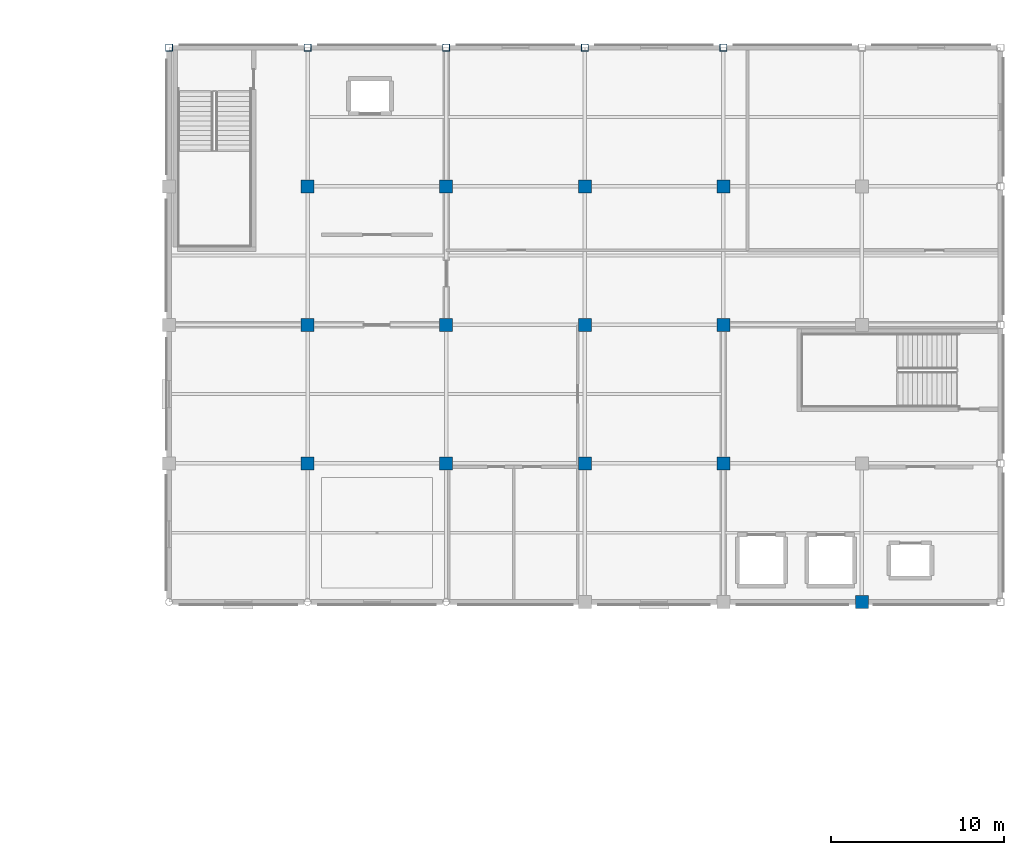
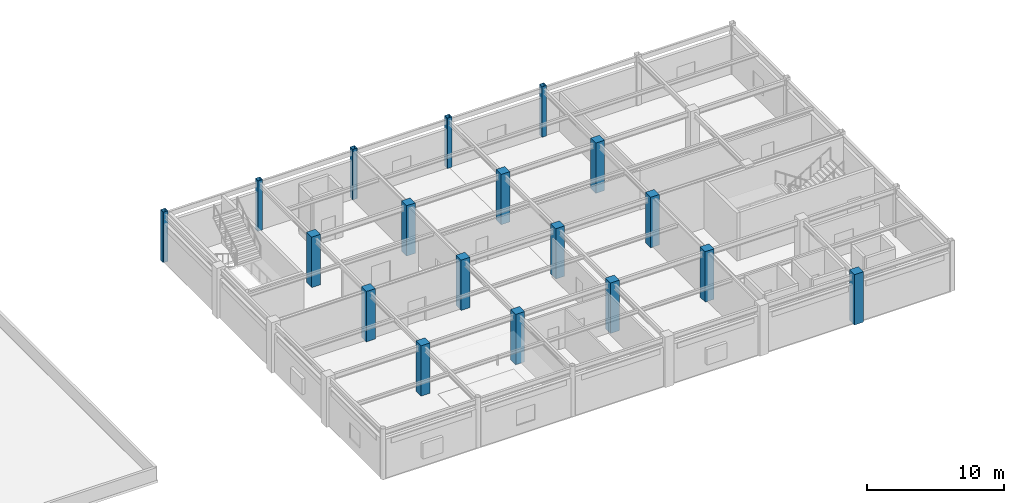
# One storey, part 6 of 42: 18 columns.
"""IFC4 building model written with IfcOpenShell, lengths in metres."""

from ifc_helpers import new_model, si_unit, direction, frame, origin, origin_2d, place, context, subcontext, project, spatial, rectangle, hollow_rectangle, extrude, material, material_profile, profile_set, type_object, element, save


model = new_model("IFC4")

# Units and contexts
model_context = context("Model", 3, precision=1e-05, world=origin(), true_north=direction((0.0, 1.0)))
body_context = subcontext(model_context, "Body", "Model", "MODEL_VIEW")
ifc_project = project(units=[si_unit("LENGTHUNIT", "METRE"), si_unit("AREAUNIT", "SQUARE_METRE"), si_unit("VOLUMEUNIT", "CUBIC_METRE"), si_unit("PLANEANGLEUNIT", "RADIAN"), si_unit("MASSUNIT", "GRAM", prefix="KILO")], contexts=[model_context])

# Site, building, storey
site_placement = place(None, origin())
site = spatial("IfcSite", under=ifc_project, at=site_placement, CompositionType="ELEMENT")
building_placement = place(site_placement, origin())
building = spatial("IfcBuilding", under=site, at=building_placement, Name="Solmirada Galleria", CompositionType="ELEMENT")
storey_placement = place(building_placement, frame((0.0, 0.0, 28.39990234375)))
storey = spatial("IfcBuildingStorey", under=building, at=storey_placement, Name="L06", CompositionType="ELEMENT", Elevation=28.39990234375)

# Columns
ifc_material_1 = material(Name="Steel S355 / ASTM A500 Grade C", Category="steel")
ifc_material_profile_1 = material_profile(ifc_material_1, hollow_rectangle(XDim=0.406005859375, YDim=0.406005859375, WallThickness=0.0146484375, InnerFilletRadius=0.0146484375, OuterFilletRadius=0.029296875, at=origin_2d()), Name="HSS16X16X5/8")
ifc_profile_set_1 = profile_set([ifc_material_profile_1], Name="Steel S355 / ASTM A500 Grade C")
column_type_1 = type_object("IfcColumnType", Name="COL-HSS16", PredefinedType="COLUMN", material=ifc_profile_set_1)
for number, where, z_axis, x_axis, name in (
    (1, (128.0, 120.0, 0.0), (0.0, 0.0, 1.0), (1.0, 0.0, 0.0), "Structural column L06-1102"),
    (2, (136.0, 120.0, 0.0), (0.0, 0.0, 1.0), (1.0, 0.0, 0.0), "Structural column L06-1203"),
    (3, (144.0, 120.0, 0.0), (0.0, 0.0, 1.0), (1.0, 0.0, 0.0), "Structural column L06-1289"),
    (4, (152.0, 120.0, 0.0), (0.0, 0.0, 1.0), (1.0, 0.0, 0.0), "Structural column L06-1362"),
    (5, (160.0, 120.0, 0.0), (0.0, 0.0, 1.0), (1.0, 0.0, 0.0), "Structural column L06-1435"),
):
    element("IfcColumn", number, at=place(storey_placement, frame(where, z_axis=z_axis, x_axis=x_axis)), inside=storey, type_object=column_type_1, Name=name, PredefinedType="COLUMN", context=body_context, shape_type="SweptSolid", body=[
        extrude(hollow_rectangle(XDim=0.406005859375, YDim=0.406005859375, WallThickness=0.0146484375, InnerFilletRadius=0.0146484375, OuterFilletRadius=0.029296875, at=origin_2d()), origin(), (0.0, 0.0, 1.0), 4.5),
    ])
ifc_material_2 = material(Name="Concrete C40/50", Category="concrete")
ifc_material_profile_2 = material_profile(ifc_material_2, rectangle(XDim=0.75, YDim=0.75, at=origin_2d()), Name="RC750X750")
ifc_profile_set_2 = profile_set([ifc_material_profile_2], Name="Concrete C40/50")
column_type_2 = type_object("IfcColumnType", Name="COL-RC750", PredefinedType="COLUMN", material=ifc_profile_set_2)
for number, where, z_axis, x_axis, name in (
    (6, (136.0, 96.0, 0.0), (0.0, 0.0, 1.0), (1.0, 0.0, 0.0), "Structural column L06-1176"),
    (7, (136.0, 104.0, 0.0), (0.0, 0.0, 1.0), (1.0, 0.0, 0.0), "Structural column L06-1185"),
    (8, (136.0, 112.0, 0.0), (0.0, 0.0, 1.0), (1.0, 0.0, 0.0), "Structural column L06-1194"),
    (9, (144.0, 96.0, 0.0), (0.0, 0.0, 1.0), (1.0, 0.0, 0.0), "Structural column L06-1262"),
    (10, (144.0, 104.0, 0.0), (0.0, 0.0, 1.0), (1.0, 0.0, 0.0), "Structural column L06-1271"),
    (11, (144.0, 112.0, 0.0), (0.0, 0.0, 1.0), (1.0, 0.0, 0.0), "Structural column L06-1280"),
    (12, (152.0, 96.0, 0.0), (0.0, 0.0, 1.0), (1.0, 0.0, 0.0), "Structural column L06-1335"),
    (13, (152.0, 104.0, 0.0), (0.0, 0.0, 1.0), (1.0, 0.0, 0.0), "Structural column L06-1344"),
    (14, (152.0, 112.0, 0.0), (0.0, 0.0, 1.0), (1.0, 0.0, 0.0), "Structural column L06-1353"),
    (15, (160.0, 96.0, 0.0), (0.0, 0.0, 1.0), (1.0, 0.0, 0.0), "Structural column L06-1408"),
    (16, (160.0, 104.0, 0.0), (0.0, 0.0, 1.0), (1.0, 0.0, 0.0), "Structural column L06-1417"),
    (17, (160.0, 112.0, 0.0), (0.0, 0.0, 1.0), (1.0, 0.0, 0.0), "Structural column L06-1426"),
    (18, (168.0, 88.0, 0.0), (0.0, 0.0, 1.0), (1.0, 0.0, 0.0), "Structural column L06-1472"),
):
    element("IfcColumn", number, at=place(storey_placement, frame(where, z_axis=z_axis, x_axis=x_axis)), inside=storey, type_object=column_type_2, Name=name, PredefinedType="COLUMN", context=body_context, shape_type="SweptSolid", body=[
        extrude(rectangle(XDim=0.75, YDim=0.75, at=origin_2d()), origin(), (0.0, 0.0, 1.0), 4.5),
    ])

save(model, "model.ifc")
